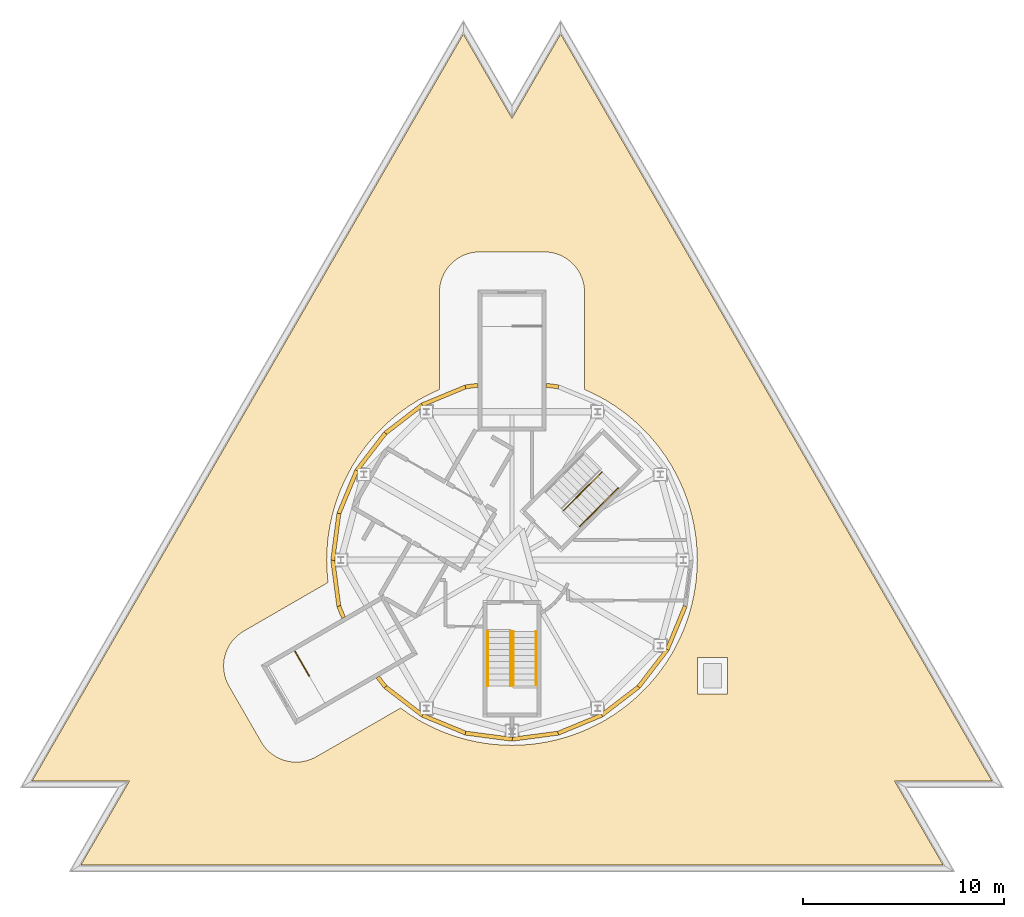
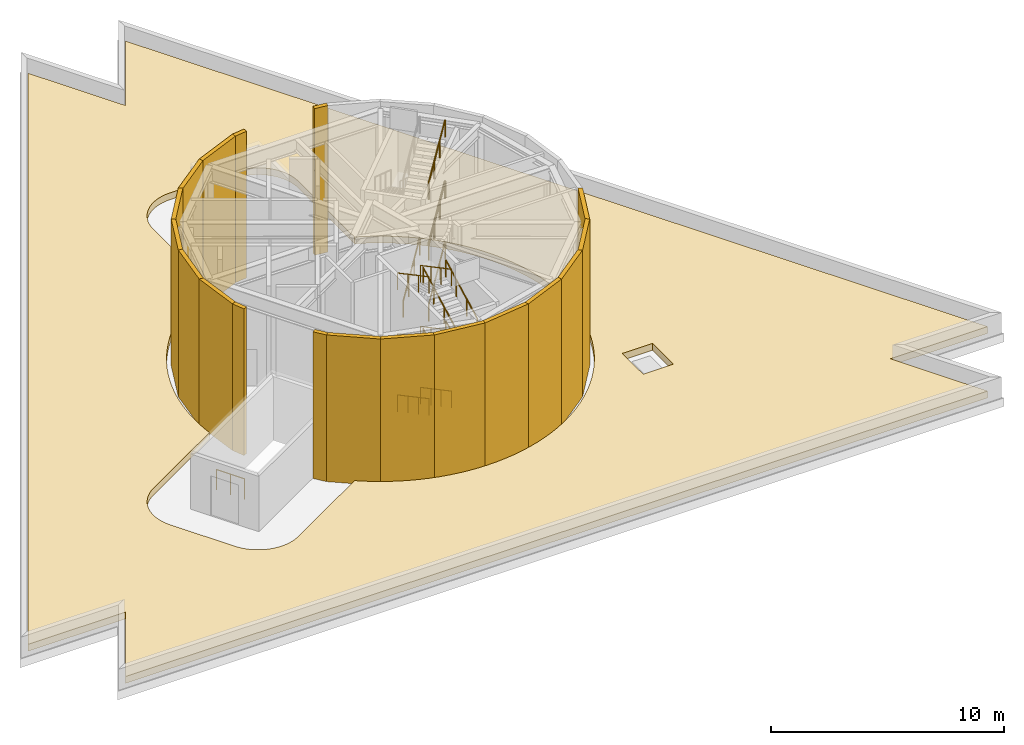
# One storey, part 6 of 7: 18 shading devices, 15 railings, 1 covering, 2 elements without a shape of their own.
"""IFC4 building model written with IfcOpenShell, lengths in metres."""

from ifc_helpers import new_model, si_unit, direction, frame, frame_2d, origin, origin_2d, place, context, subcontext, project, spatial, polyline, rectangle, circle, outline, extrude, material, layer, layer_set, layer_usage, type_object, element, aggregate, save


model = new_model("IFC4")

# Units and contexts
model_context = context("Model", 3, precision=1e-05, world=origin(), true_north=direction((0.0, 1.0)))
body_context = subcontext(model_context, "Body", "Model", "MODEL_VIEW")
ifc_project = project(units=[si_unit("LENGTHUNIT", "METRE"), si_unit("AREAUNIT", "SQUARE_METRE"), si_unit("VOLUMEUNIT", "CUBIC_METRE"), si_unit("PLANEANGLEUNIT", "RADIAN"), si_unit("MASSUNIT", "GRAM", prefix="KILO")], contexts=[model_context])

# Site, building, storey
site_placement = place(None, origin())
site = spatial("IfcSite", under=ifc_project, at=site_placement, CompositionType="ELEMENT")
building_placement = place(site_placement, origin())
building = spatial("IfcBuilding", under=site, at=building_placement, Name="Triada Interchange Tower", CompositionType="ELEMENT")
storey_placement = place(building_placement, frame((0.0, 0.0, 327.800048828125)))
storey = spatial("IfcBuildingStorey", under=building, at=storey_placement, Name="Roof", CompositionType="ELEMENT", Elevation=327.800048828125)

# Shading devices
ifc_material_1 = material(Name="Aluminium louvre cladding", Category="aluminium")
ifc_layer_1 = layer(ifc_material_1, 0.199951171875, Name="Louvre blades and frame")
ifc_layer_set_1 = layer_set([ifc_layer_1], Name="Plant drum louvre")
shading_device_type = type_object("IfcShadingDeviceType", Name="Plant drum louvre", PredefinedType="JALOUSIE", material=ifc_layer_set_1)
for number, where, z_axis, x_axis, name in (
    (1, (2.31689453125, 8.594970703125, 0.0), (0.0, 0.0, 1.0), (-0.991479650289, 0.130261671506, 0.0), "Plant drum louvre wall 06"),
    (2, (-1.699951171875, 8.676025390625, 0.0), (0.0, 0.0, 1.0), (-0.991479650289, -0.130261671506, 0.0), "Plant drum louvre wall 07"),
):
    element("IfcShadingDevice", number, at=place(storey_placement, frame(where, z_axis=z_axis, x_axis=x_axis)), inside=storey, type_object=shading_device_type, Name=name, PredefinedType="JALOUSIE", context=body_context, shape_type="SweptSolid", body=[
        extrude(rectangle(XDim=0.622314453125, YDim=0.199951171875, at=frame_2d((0.31103515625, 0.0))), origin(), (0.0, 0.0, 1.0), 7.699951171875),
    ])
shading_device_1_placement = place(storey_placement, frame((-2.291015625, 8.60205078125, 0.0), z_axis=(0.0, 0.0, 1.0), x_axis=(-0.92388640159, -0.382666848522, 0.0)))
element("IfcShadingDevice", 3, at=shading_device_1_placement, inside=storey, type_object=shading_device_type, Name="Plant drum louvre wall 08", PredefinedType="JALOUSIE", context=body_context, shape_type="SweptSolid", body=[
    extrude(rectangle(XDim=2.349853515625, YDim=0.199951171875, at=frame_2d((1.1748046875, 0.0))), origin(), (0.0, 0.0, 1.0), 7.699951171875),
])
for number, where, z_axis, x_axis, name in (
    (4, (-4.43994140625, 7.716064453125, 0.0), (0.0, 0.0, 1.0), (-0.793179784891, -0.608987544077, 0.0), "Plant drum louvre wall 09"),
    (5, (-6.284912109375, 6.303955078125, 0.0), (0.0, 0.0, 1.0), (-0.608987544077, -0.793179784891, 0.0), "Plant drum louvre wall 10"),
):
    element("IfcShadingDevice", number, at=place(storey_placement, frame(where, z_axis=z_axis, x_axis=x_axis)), inside=storey, type_object=shading_device_type, Name=name, PredefinedType="JALOUSIE", context=body_context, shape_type="SweptSolid", body=[
        extrude(rectangle(XDim=2.35009765625, YDim=0.199951171875, at=frame_2d((1.175048828125, 0.0))), origin(), (0.0, 0.0, 1.0), 7.699951171875),
    ])
shading_device_2_placement = place(storey_placement, frame((-7.702880859375, 4.4619140625, 0.0), z_axis=(0.0, 0.0, 1.0), x_axis=(-0.382666848522, -0.92388640159, 0.0)))
element("IfcShadingDevice", 6, at=shading_device_2_placement, inside=storey, type_object=shading_device_type, Name="Plant drum louvre wall 11", PredefinedType="JALOUSIE", context=body_context, shape_type="SweptSolid", body=[
    extrude(rectangle(XDim=2.349853515625, YDim=0.199951171875, at=frame_2d((1.1748046875, 0.0))), origin(), (0.0, 0.0, 1.0), 7.699951171875),
])
for number, where, z_axis, x_axis, name in (
    (7, (-8.594970703125, 2.31689453125, 0.0), (0.0, 0.0, 1.0), (-0.130693689283, -0.991422795573, 0.0), "Plant drum louvre wall 12"),
    (8, (-8.902099609375, 0.012939453125, 0.0), (0.0, 0.0, 1.0), (0.130693689283, -0.991422795573, 0.0), "Plant drum louvre wall 13"),
):
    element("IfcShadingDevice", number, at=place(storey_placement, frame(where, z_axis=z_axis, x_axis=x_axis)), inside=storey, type_object=shading_device_type, Name=name, PredefinedType="JALOUSIE", context=body_context, shape_type="SweptSolid", body=[
        extrude(rectangle(XDim=2.35009765625, YDim=0.199951171875, at=frame_2d((1.175048828125, 0.0))), origin(), (0.0, 0.0, 1.0), 7.699951171875),
    ])
shading_device_3_placement = place(storey_placement, frame((-8.60205078125, -2.291015625, 0.0), z_axis=(0.0, 0.0, 1.0), x_axis=(0.382525049986, -0.923945120737, 0.0)))
element("IfcShadingDevice", 9, at=shading_device_3_placement, inside=storey, type_object=shading_device_type, Name="Plant drum louvre wall 14", PredefinedType="JALOUSIE", context=body_context, shape_type="SweptSolid", body=[
    extrude(rectangle(XDim=0.622314453125, YDim=0.199951171875, at=frame_2d((0.31103515625, 0.0))), origin(), (0.0, 0.0, 1.0), 7.699951171875),
])
shading_device_4_placement = place(storey_placement, frame((-6.6640625, -5.81005859375, 0.0), z_axis=(0.0, 0.0, 1.0), x_axis=(0.608933553188, -0.793221235093, 0.0)))
element("IfcShadingDevice", 10, at=shading_device_4_placement, inside=storey, type_object=shading_device_type, Name="Plant drum louvre wall 15", PredefinedType="JALOUSIE", context=body_context, shape_type="SweptSolid", body=[
    extrude(rectangle(XDim=0.62255859375, YDim=0.199951171875, at=frame_2d((0.311279296875, 0.0))), origin(), (0.0, 0.0, 1.0), 7.699951171875),
])
shading_device_5_placement = place(storey_placement, frame((-6.303955078125, -6.284912109375, 0.0), z_axis=(0.0, 0.0, 1.0), x_axis=(0.793179784891, -0.608987544077, 0.0)))
element("IfcShadingDevice", 11, at=shading_device_5_placement, inside=storey, type_object=shading_device_type, Name="Plant drum louvre wall 16", PredefinedType="JALOUSIE", context=body_context, shape_type="SweptSolid", body=[
    extrude(rectangle(XDim=2.35009765625, YDim=0.199951171875, at=frame_2d((1.175048828125, 0.0))), origin(), (0.0, 0.0, 1.0), 7.699951171875),
])
shading_device_6_placement = place(storey_placement, frame((-4.4619140625, -7.702880859375, 0.0), z_axis=(0.0, 0.0, 1.0), x_axis=(0.92388640159, -0.382666848522, 0.0)))
element("IfcShadingDevice", 12, at=shading_device_6_placement, inside=storey, type_object=shading_device_type, Name="Plant drum louvre wall 17", PredefinedType="JALOUSIE", context=body_context, shape_type="SweptSolid", body=[
    extrude(rectangle(XDim=2.349853515625, YDim=0.199951171875, at=frame_2d((1.1748046875, 0.0))), origin(), (0.0, 0.0, 1.0), 7.699951171875),
])
for number, where, z_axis, x_axis, name in (
    (13, (-2.31689453125, -8.594970703125, 0.0), (0.0, 0.0, 1.0), (0.991422795573, -0.130693689283, 0.0), "Plant drum louvre wall 18"),
    (14, (-0.012939453125, -8.902099609375, 0.0), (0.0, 0.0, 1.0), (0.991422795573, 0.130693689283, 0.0), "Plant drum louvre wall 19"),
):
    element("IfcShadingDevice", number, at=place(storey_placement, frame(where, z_axis=z_axis, x_axis=x_axis)), inside=storey, type_object=shading_device_type, Name=name, PredefinedType="JALOUSIE", context=body_context, shape_type="SweptSolid", body=[
        extrude(rectangle(XDim=2.35009765625, YDim=0.199951171875, at=frame_2d((1.175048828125, 0.0))), origin(), (0.0, 0.0, 1.0), 7.699951171875),
    ])
shading_device_7_placement = place(storey_placement, frame((2.291015625, -8.60205078125, 0.0), z_axis=(0.0, 0.0, 1.0), x_axis=(0.92388640159, 0.382666848522, 0.0)))
element("IfcShadingDevice", 15, at=shading_device_7_placement, inside=storey, type_object=shading_device_type, Name="Plant drum louvre wall 20", PredefinedType="JALOUSIE", context=body_context, shape_type="SweptSolid", body=[
    extrude(rectangle(XDim=2.349853515625, YDim=0.199951171875, at=frame_2d((1.1748046875, 0.0))), origin(), (0.0, 0.0, 1.0), 7.699951171875),
])
for number, where, z_axis, x_axis, name in (
    (16, (4.43994140625, -7.716064453125, 0.0), (0.0, 0.0, 1.0), (0.793179784891, 0.608987544077, 0.0), "Plant drum louvre wall 21"),
    (17, (6.284912109375, -6.303955078125, 0.0), (0.0, 0.0, 1.0), (0.608987544077, 0.793179784891, 0.0), "Plant drum louvre wall 22"),
):
    element("IfcShadingDevice", number, at=place(storey_placement, frame(where, z_axis=z_axis, x_axis=x_axis)), inside=storey, type_object=shading_device_type, Name=name, PredefinedType="JALOUSIE", context=body_context, shape_type="SweptSolid", body=[
        extrude(rectangle(XDim=2.35009765625, YDim=0.199951171875, at=frame_2d((1.175048828125, 0.0))), origin(), (0.0, 0.0, 1.0), 7.699951171875),
    ])
shading_device_8_placement = place(storey_placement, frame((7.702880859375, -4.4619140625, 0.0), z_axis=(0.0, 0.0, 1.0), x_axis=(0.382666848522, 0.92388640159, 0.0)))
element("IfcShadingDevice", 18, at=shading_device_8_placement, inside=storey, type_object=shading_device_type, Name="Plant drum louvre wall 23", PredefinedType="JALOUSIE", context=body_context, shape_type="SweptSolid", body=[
    extrude(rectangle(XDim=2.349853515625, YDim=0.199951171875, at=frame_2d((1.1748046875, 0.0))), origin(), (0.0, 0.0, 1.0), 7.699951171875),
])

# Covering
ifc_material_2 = material(Name="Screed CT-C25-F4")
ifc_layer_2 = layer(ifc_material_2, 0.06005859375, Name="Screed to falls")
ifc_material_3 = material(Name="Polyethylene membrane")
ifc_layer_3 = layer(ifc_material_3, 0.0029296875, Name="Vapour control layer")
ifc_material_4 = material(Name="Mineral wool")
ifc_layer_4 = layer(ifc_material_4, 0.239990234375, Name="Thermal insulation")
ifc_material_5 = material(Name="Bituminous membrane")
ifc_layer_5 = layer(ifc_material_5, 0.0048828125, Name="Waterproof membrane")
ifc_material_6 = material(Name="Geotextile")
ifc_layer_6 = layer(ifc_material_6, 0.001953125, Name="Filter membrane")
ifc_material_7 = material(Name="Gravel ballast")
ifc_layer_7 = layer(ifc_material_7, 0.050048828125, Name="Ballast")
ifc_layer_set_2 = layer_set([ifc_layer_2, ifc_layer_3, ifc_layer_4, ifc_layer_5, ifc_layer_6, ifc_layer_7], Name="Roof covering 360")
ifc_layer_usage = layer_usage(ifc_layer_set_2, "AXIS3", "POSITIVE", 0.0)
covering_type = type_object("IfcCoveringType", Name="Roof covering 360", PredefinedType="ROOFING", material=ifc_layer_set_2)
covering_placement = place(storey_placement, origin())
element("IfcCovering", 19, at=covering_placement, inside=storey, type_object=covering_type, material=ifc_layer_usage, Name="Roof covering", PredefinedType="ROOFING", context=body_context, shape_type="SweptSolid", body=[
    extrude(outline(polyline([(2.416015625, 26.114990234375), (0.0, 21.929931640625), (-2.416015625, 26.114990234375), (-23.824951171875, -10.965087890625), (-18.991943359375, -10.965087890625), (-21.407958984375, -15.14990234375), (21.407958984375, -15.14990234375), (18.991943359375, -10.965087890625), (23.824951171875, -10.965087890625), (2.416015625, 26.114990234375)]), holes=[polyline([(9.156005859375, 0.902099609375), (9.18896484375, 0.450927734375), (9.199951171875, 0.0), (9.18896484375, -0.450927734375), (9.156005859375, -0.902099609375), (9.10009765625, -1.35009765625), (9.02294921875, -1.794921875), (8.924072265625, -2.235107421875), (8.803955078125, -2.6708984375), (8.662109375, -3.09912109375), (8.5, -3.52099609375), (8.31689453125, -3.93408203125), (8.114013671875, -4.3369140625), (7.89111328125, -4.72998046875), (7.64990234375, -5.111083984375), (7.389892578125, -5.47998046875), (7.112060546875, -5.8359375), (6.81689453125, -6.177978515625), (6.5048828125, -6.5048828125), (6.177978515625, -6.81689453125), (5.8359375, -7.112060546875), (5.47998046875, -7.389892578125), (5.111083984375, -7.64990234375), (4.72998046875, -7.89111328125), (4.3369140625, -8.114013671875), (3.93408203125, -8.31689453125), (3.52099609375, -8.5), (3.09912109375, -8.662109375), (2.6708984375, -8.803955078125), (2.235107421875, -8.924072265625), (1.794921875, -9.02294921875), (1.35009765625, -9.10009765625), (0.902099609375, -9.156005859375), (0.450927734375, -9.18896484375), (0.0, -9.199951171875), (-0.450927734375, -9.18896484375), (-0.902099609375, -9.156005859375), (-1.35009765625, -9.10009765625), (-1.794921875, -9.02294921875), (-2.235107421875, -8.924072265625), (-2.6708984375, -8.803955078125), (-3.09912109375, -8.662109375), (-3.52099609375, -8.5), (-3.93408203125, -8.31689453125), (-4.3369140625, -8.114013671875), (-4.72998046875, -7.89111328125), (-5.111083984375, -7.64990234375), (-5.47998046875, -7.389892578125), (-5.531005859375, -7.35009765625), (-9.718017578125, -9.76806640625), (-9.89306640625, -9.85693359375), (-10.074951171875, -9.929931640625), (-10.263916015625, -9.98291015625), (-10.45703125, -10.01904296875), (-10.653076171875, -10.034912109375), (-10.84912109375, -10.031005859375), (-11.0439453125, -10.009033203125), (-11.236083984375, -9.967041015625), (-11.423095703125, -9.906982421875), (-11.60302734375, -9.8291015625), (-11.77392578125, -9.73388671875), (-11.93603515625, -9.6220703125), (-12.0849609375, -9.4951171875), (-12.221923828125, -9.35400390625), (-12.343994140625, -9.200927734375), (-12.449951171875, -9.035888671875), (-14.050048828125, -6.263916015625), (-14.139892578125, -6.090087890625), (-14.2119140625, -5.906982421875), (-14.26611328125, -5.718994140625), (-14.301025390625, -5.52490234375), (-14.31689453125, -5.330078125), (-14.31396484375, -5.134033203125), (-14.291015625, -4.93896484375), (-14.25, -4.7470703125), (-14.18994140625, -4.56005859375), (-14.112060546875, -4.3798828125), (-14.01708984375, -4.2080078125), (-13.905029296875, -4.047119140625), (-13.778076171875, -3.89697265625), (-13.636962890625, -3.760986328125), (-13.48291015625, -3.638916015625), (-13.318115234375, -3.531982421875), (-9.1298828125, -1.114013671875), (-9.156005859375, -0.902099609375), (-9.18896484375, -0.450927734375), (-9.199951171875, 0.0), (-9.18896484375, 0.450927734375), (-9.156005859375, 0.902099609375), (-9.10009765625, 1.35009765625), (-9.02294921875, 1.794921875), (-8.924072265625, 2.235107421875), (-8.803955078125, 2.6708984375), (-8.662109375, 3.09912109375), (-8.5, 3.52099609375), (-8.31689453125, 3.93408203125), (-8.114013671875, 4.3369140625), (-7.89111328125, 4.72998046875), (-7.64990234375, 5.111083984375), (-7.389892578125, 5.47998046875), (-7.112060546875, 5.8359375), (-6.81689453125, 6.177978515625), (-6.5048828125, 6.5048828125), (-6.177978515625, 6.81689453125), (-5.8359375, 7.112060546875), (-5.47998046875, 7.389892578125), (-5.111083984375, 7.64990234375), (-4.72998046875, 7.89111328125), (-4.3369140625, 8.114013671875), (-3.93408203125, 8.31689453125), (-3.60009765625, 8.465087890625), (-3.60009765625, 13.300048828125), (-3.590087890625, 13.49609375), (-3.56201171875, 13.68994140625), (-3.513916015625, 13.881103515625), (-3.447998046875, 14.06494140625), (-3.364013671875, 14.242919921875), (-3.262939453125, 14.410888671875), (-3.14599609375, 14.569091796875), (-3.013916015625, 14.714111328125), (-2.868896484375, 14.845947265625), (-2.7109375, 14.962890625), (-2.54296875, 15.06396484375), (-2.364990234375, 15.14794921875), (-2.180908203125, 15.214111328125), (-1.989990234375, 15.261962890625), (-1.7958984375, 15.2900390625), (-1.60009765625, 15.300048828125), (1.60009765625, 15.300048828125), (1.7958984375, 15.2900390625), (1.989990234375, 15.261962890625), (2.180908203125, 15.214111328125), (2.364990234375, 15.14794921875), (2.54296875, 15.06396484375), (2.7109375, 14.962890625), (2.868896484375, 14.845947265625), (3.013916015625, 14.714111328125), (3.14599609375, 14.569091796875), (3.262939453125, 14.410888671875), (3.364013671875, 14.242919921875), (3.447998046875, 14.06494140625), (3.513916015625, 13.881103515625), (3.56201171875, 13.68994140625), (3.590087890625, 13.49609375), (3.60009765625, 13.300048828125), (3.60009765625, 8.465087890625), (3.93408203125, 8.31689453125), (4.3369140625, 8.114013671875), (4.72998046875, 7.89111328125), (5.111083984375, 7.64990234375), (5.47998046875, 7.389892578125), (5.8359375, 7.112060546875), (6.177978515625, 6.81689453125), (6.5048828125, 6.5048828125), (6.81689453125, 6.177978515625), (7.112060546875, 5.8359375), (7.389892578125, 5.47998046875), (7.64990234375, 5.111083984375), (7.89111328125, 4.72998046875), (8.114013671875, 4.3369140625), (8.31689453125, 3.93408203125), (8.5, 3.52099609375), (8.662109375, 3.09912109375), (8.803955078125, 2.6708984375), (8.924072265625, 2.235107421875), (9.02294921875, 1.794921875), (9.10009765625, 1.35009765625), (9.156005859375, 0.902099609375)]), polyline([(10.708984375, -6.64990234375), (9.208984375, -6.64990234375), (9.208984375, -4.85009765625), (10.708984375, -4.85009765625), (10.708984375, -6.64990234375)])]), origin(), (0.0, 0.0, 1.0), 0.35986328125),
])

# Railing
ifc_material_8 = material(Name="Stainless steel 1.4301", Category="steel")
railing_type_1 = type_object("IfcRailingType", Name="STAIR GUARD 1100", PredefinedType="GUARDRAIL", material=ifc_material_8)
railing_1_placement = place(storey_placement, frame((-10.77099609375, -4.5439453125, 0.0)))
element("IfcRailing", 20, at=railing_1_placement, inside=storey, type_object=railing_type_1, Name="Guard head-house 2", PredefinedType="GUARDRAIL", context=body_context, shape_type="SweptSolid", body=[
    extrude(circle(Radius=0.02392578125, at=origin_2d()), frame((0.0, 0.0, 1.076171875), z_axis=(0.499757664077, -0.866165271294, 0.0), x_axis=(0.866165271294, 0.499757664077, 0.0)), (0.0, 0.0, 1.0), 1.400634765625),
    extrude(circle(Radius=0.02099609375, at=origin_2d()), origin(), (0.0, 0.0, 1.0), 1.052001953125),
    extrude(circle(Radius=0.02099609375, at=origin_2d()), frame((0.35009765625, -0.6064453125, 0.0)), (0.0, 0.0, 1.0), 1.052001953125),
    extrude(circle(Radius=0.02099609375, at=origin_2d()), frame((0.699951171875, -1.213134765625, 0.0)), (0.0, 0.0, 1.0), 1.052001953125),
])

# Stair, railings
ifc_material_9 = material(Name="Concrete C35/45", Category="concrete")
stair_type = type_object("IfcStairType", Name="HALF TURN STAIR 1200", PredefinedType="HALF_TURN_STAIR", material=ifc_material_9)
stair_1_placement = place(storey_placement, origin())
stair_1 = element("IfcStair", 21, at=stair_1_placement, inside=storey, type_object=stair_type, Name="Roof access stair RS1", PredefinedType="HALF_TURN_STAIR")
railing_type_2 = type_object("IfcRailingType", Name="STAIR HANDRAIL 900", PredefinedType="HANDRAIL", material=ifc_material_8)
railing_2_placement = place(storey_placement, frame((3.35888671875, 1.662109375, 0.159912109375)))
railing_2 = element("IfcRailing", 22, at=railing_2_placement, type_object=railing_type_2, Name="Handrail RS1 1W", PredefinedType="HANDRAIL", context=body_context, shape_type="SweptSolid", body=[
    extrude(circle(Radius=0.02392578125, at=origin_2d()), frame((0.0, 0.0, 0.8759765625), z_axis=(0.623953805445, 0.623874015956, 0.470598407227), x_axis=(-0.707061565419, 0.707151994063, 0.0)), (0.0, 0.0, 1.0), 3.059814453125),
    extrude(circle(Radius=0.02099609375, at=origin_2d()), origin(), (0.0, 0.0, 1.0), 0.851806640625),
    extrude(circle(Radius=0.02099609375, at=origin_2d()), frame((0.636474609375, 0.63623046875, 0.47998046875)), (0.0, 0.0, 1.0), 0.851806640625),
    extrude(circle(Radius=0.02099609375, at=origin_2d()), frame((1.272705078125, 1.272705078125, 0.9599609375)), (0.0, 0.0, 1.0), 0.851806640625),
    extrude(circle(Radius=0.02099609375, at=origin_2d()), frame((1.9091796875, 1.908935546875, 1.43994140625)), (0.0, 0.0, 1.0), 0.851806640625),
])
railing_3_placement = place(storey_placement, frame((2.56005859375, 2.4609375, 0.159912109375)))
railing_3 = element("IfcRailing", 23, at=railing_3_placement, type_object=railing_type_2, Name="Handrail RS1 1C", PredefinedType="HANDRAIL", context=body_context, shape_type="SweptSolid", body=[
    extrude(circle(Radius=0.02392578125, at=origin_2d()), frame((0.0, 0.0, 0.8759765625), z_axis=(0.623874015956, 0.623953805445, 0.470598407227), x_axis=(-0.707151994063, 0.707061565419, 0.0)), (0.0, 0.0, 1.0), 3.059814453125),
    extrude(circle(Radius=0.02099609375, at=origin_2d()), origin(), (0.0, 0.0, 1.0), 0.851806640625),
    extrude(circle(Radius=0.02099609375, at=origin_2d()), frame((0.63623046875, 0.636474609375, 0.47998046875)), (0.0, 0.0, 1.0), 0.851806640625),
    extrude(circle(Radius=0.02099609375, at=origin_2d()), frame((1.272705078125, 1.272705078125, 0.9599609375)), (0.0, 0.0, 1.0), 0.851806640625),
    extrude(circle(Radius=0.02099609375, at=origin_2d()), frame((1.908935546875, 1.9091796875, 1.43994140625)), (0.0, 0.0, 1.0), 0.851806640625),
])
railing_4_placement = place(storey_placement, frame((3.35888671875, 1.662109375, 3.35986328125)))
railing_4 = element("IfcRailing", 24, at=railing_4_placement, type_object=railing_type_2, Name="Handrail RS1 3W", PredefinedType="HANDRAIL", context=body_context, shape_type="SweptSolid", body=[
    extrude(circle(Radius=0.02392578125, at=origin_2d()), frame((0.0, 0.0, 0.8759765625), z_axis=(0.623930376058, 0.623850589565, 0.470660522809), x_axis=(-0.707061565419, 0.707151994063, 0.0)), (0.0, 0.0, 1.0), 3.059814453125),
    extrude(circle(Radius=0.02099609375, at=origin_2d()), origin(), (0.0, 0.0, 1.0), 0.851806640625),
    extrude(circle(Radius=0.02099609375, at=origin_2d()), frame((0.636474609375, 0.63623046875, 0.47998046875)), (0.0, 0.0, 1.0), 0.851806640625),
    extrude(circle(Radius=0.02099609375, at=origin_2d()), frame((1.272705078125, 1.272705078125, 0.960205078125)), (0.0, 0.0, 1.0), 0.851806640625),
    extrude(circle(Radius=0.02099609375, at=origin_2d()), frame((1.9091796875, 1.908935546875, 1.440185546875)), (0.0, 0.0, 1.0), 0.851806640625),
])
railing_5_placement = place(storey_placement, frame((3.35888671875, 1.662109375, 6.56005859375)))
railing_5 = element("IfcRailing", 25, at=railing_5_placement, type_object=railing_type_2, Name="Handrail RS1 5W", PredefinedType="HANDRAIL", context=body_context, shape_type="SweptSolid", body=[
    extrude(circle(Radius=0.02392578125, at=origin_2d()), frame((0.0, 0.0, 0.8759765625), z_axis=(0.623953805445, 0.623874015956, 0.470598407227), x_axis=(-0.707061565419, 0.707151994063, 0.0)), (0.0, 0.0, 1.0), 3.059814453125),
    extrude(circle(Radius=0.02099609375, at=origin_2d()), origin(), (0.0, 0.0, 1.0), 0.851806640625),
    extrude(circle(Radius=0.02099609375, at=origin_2d()), frame((0.636474609375, 0.63623046875, 0.47998046875)), (0.0, 0.0, 1.0), 0.851806640625),
    extrude(circle(Radius=0.02099609375, at=origin_2d()), frame((1.272705078125, 1.272705078125, 0.9599609375)), (0.0, 0.0, 1.0), 0.851806640625),
    extrude(circle(Radius=0.02099609375, at=origin_2d()), frame((1.9091796875, 1.908935546875, 1.43994140625)), (0.0, 0.0, 1.0), 0.851806640625),
])
aggregate(stair_1, [railing_2, railing_3, railing_4, railing_5])

stair_2_placement = place(storey_placement, origin())
stair_2 = element("IfcStair", 26, at=stair_2_placement, inside=storey, type_object=stair_type, Name="Roof access stair RS2", PredefinedType="HALF_TURN_STAIR")
railing_6_placement = place(storey_placement, frame((-1.199951171875, -3.550048828125, 0.159912109375)))
railing_6 = element("IfcRailing", 27, at=railing_6_placement, type_object=railing_type_2, Name="Handrail RS2 1W", PredefinedType="HANDRAIL", context=body_context, shape_type="SweptSolid", body=[
    extrude(circle(Radius=0.02392578125, at=origin_2d()), frame((0.0, 0.0, 0.8759765625), z_axis=(0.0, -0.882357358376, 0.470579952952), x_axis=(1.0, 0.0, 0.0)), (0.0, 0.0, 1.0), 3.059814453125),
    extrude(circle(Radius=0.02099609375, at=origin_2d()), origin(), (0.0, 0.0, 1.0), 0.851806640625),
    extrude(circle(Radius=0.02099609375, at=origin_2d()), frame((0.0, -0.89990234375, 0.47998046875)), (0.0, 0.0, 1.0), 0.851806640625),
    extrude(circle(Radius=0.02099609375, at=origin_2d()), frame((0.0, -1.800048828125, 0.9599609375)), (0.0, 0.0, 1.0), 0.851806640625),
    extrude(circle(Radius=0.02099609375, at=origin_2d()), frame((0.0, -2.699951171875, 1.43994140625)), (0.0, 0.0, 1.0), 0.851806640625),
])
railing_7_placement = place(storey_placement, frame((-0.070068359375, -3.550048828125, 0.159912109375)))
railing_7 = element("IfcRailing", 28, at=railing_7_placement, type_object=railing_type_2, Name="Handrail RS2 1C", PredefinedType="HANDRAIL", context=body_context, shape_type="SweptSolid", body=[
    extrude(circle(Radius=0.02392578125, at=origin_2d()), frame((0.0, 0.0, 0.8759765625), z_axis=(0.0, -0.882357358376, 0.470579952952), x_axis=(1.0, 0.0, 0.0)), (0.0, 0.0, 1.0), 3.059814453125),
    extrude(circle(Radius=0.02099609375, at=origin_2d()), origin(), (0.0, 0.0, 1.0), 0.851806640625),
    extrude(circle(Radius=0.02099609375, at=origin_2d()), frame((0.0, -0.89990234375, 0.47998046875)), (0.0, 0.0, 1.0), 0.851806640625),
    extrude(circle(Radius=0.02099609375, at=origin_2d()), frame((0.0, -1.800048828125, 0.9599609375)), (0.0, 0.0, 1.0), 0.851806640625),
    extrude(circle(Radius=0.02099609375, at=origin_2d()), frame((0.0, -2.699951171875, 1.43994140625)), (0.0, 0.0, 1.0), 0.851806640625),
])
railing_8_placement = place(storey_placement, frame((1.199951171875, -6.25, 1.760009765625)))
railing_8 = element("IfcRailing", 29, at=railing_8_placement, type_object=railing_type_2, Name="Handrail RS2 2W", PredefinedType="HANDRAIL", context=body_context, shape_type="SweptSolid", body=[
    extrude(circle(Radius=0.02392578125, at=origin_2d()), frame((0.0, 0.0, 0.8759765625), z_axis=(0.0, 0.882357358376, 0.470579952952), x_axis=(-1.0, 0.0, 0.0)), (0.0, 0.0, 1.0), 3.059814453125),
    extrude(circle(Radius=0.02099609375, at=origin_2d()), origin(), (0.0, 0.0, 1.0), 0.851806640625),
    extrude(circle(Radius=0.02099609375, at=origin_2d()), frame((0.0, 0.89990234375, 0.47998046875)), (0.0, 0.0, 1.0), 0.851806640625),
    extrude(circle(Radius=0.02099609375, at=origin_2d()), frame((0.0, 1.800048828125, 0.9599609375)), (0.0, 0.0, 1.0), 0.851806640625),
    extrude(circle(Radius=0.02099609375, at=origin_2d()), frame((0.0, 2.699951171875, 1.43994140625)), (0.0, 0.0, 1.0), 0.851806640625),
])
railing_9_placement = place(storey_placement, frame((0.070068359375, -6.25, 1.760009765625)))
railing_9 = element("IfcRailing", 30, at=railing_9_placement, type_object=railing_type_2, Name="Handrail RS2 2C", PredefinedType="HANDRAIL", context=body_context, shape_type="SweptSolid", body=[
    extrude(circle(Radius=0.02392578125, at=origin_2d()), frame((0.0, 0.0, 0.8759765625), z_axis=(0.0, 0.882357358376, 0.470579952952), x_axis=(-1.0, 0.0, 0.0)), (0.0, 0.0, 1.0), 3.059814453125),
    extrude(circle(Radius=0.02099609375, at=origin_2d()), origin(), (0.0, 0.0, 1.0), 0.851806640625),
    extrude(circle(Radius=0.02099609375, at=origin_2d()), frame((0.0, 0.89990234375, 0.47998046875)), (0.0, 0.0, 1.0), 0.851806640625),
    extrude(circle(Radius=0.02099609375, at=origin_2d()), frame((0.0, 1.800048828125, 0.9599609375)), (0.0, 0.0, 1.0), 0.851806640625),
    extrude(circle(Radius=0.02099609375, at=origin_2d()), frame((0.0, 2.699951171875, 1.43994140625)), (0.0, 0.0, 1.0), 0.851806640625),
])
railing_10_placement = place(storey_placement, frame((-1.199951171875, -3.550048828125, 3.35986328125)))
railing_10 = element("IfcRailing", 31, at=railing_10_placement, type_object=railing_type_2, Name="Handrail RS2 3W", PredefinedType="HANDRAIL", context=body_context, shape_type="SweptSolid", body=[
    extrude(circle(Radius=0.02392578125, at=origin_2d()), frame((0.0, 0.0, 0.8759765625), z_axis=(0.0, -0.882324228566, 0.470642067484), x_axis=(1.0, 0.0, 0.0)), (0.0, 0.0, 1.0), 3.06005859375),
    extrude(circle(Radius=0.02099609375, at=origin_2d()), origin(), (0.0, 0.0, 1.0), 0.851806640625),
    extrude(circle(Radius=0.02099609375, at=origin_2d()), frame((0.0, -0.89990234375, 0.47998046875)), (0.0, 0.0, 1.0), 0.851806640625),
    extrude(circle(Radius=0.02099609375, at=origin_2d()), frame((0.0, -1.800048828125, 0.960205078125)), (0.0, 0.0, 1.0), 0.851806640625),
    extrude(circle(Radius=0.02099609375, at=origin_2d()), frame((0.0, -2.699951171875, 1.440185546875)), (0.0, 0.0, 1.0), 0.851806640625),
])
railing_11_placement = place(storey_placement, frame((-0.070068359375, -3.550048828125, 3.35986328125)))
railing_11 = element("IfcRailing", 32, at=railing_11_placement, type_object=railing_type_2, Name="Handrail RS2 3C", PredefinedType="HANDRAIL", context=body_context, shape_type="SweptSolid", body=[
    extrude(circle(Radius=0.02392578125, at=origin_2d()), frame((0.0, 0.0, 0.8759765625), z_axis=(0.0, -0.882324228566, 0.470642067484), x_axis=(1.0, 0.0, 0.0)), (0.0, 0.0, 1.0), 3.06005859375),
    extrude(circle(Radius=0.02099609375, at=origin_2d()), origin(), (0.0, 0.0, 1.0), 0.851806640625),
    extrude(circle(Radius=0.02099609375, at=origin_2d()), frame((0.0, -0.89990234375, 0.47998046875)), (0.0, 0.0, 1.0), 0.851806640625),
    extrude(circle(Radius=0.02099609375, at=origin_2d()), frame((0.0, -1.800048828125, 0.960205078125)), (0.0, 0.0, 1.0), 0.851806640625),
    extrude(circle(Radius=0.02099609375, at=origin_2d()), frame((0.0, -2.699951171875, 1.440185546875)), (0.0, 0.0, 1.0), 0.851806640625),
])
railing_12_placement = place(storey_placement, frame((1.199951171875, -6.25, 4.9599609375)))
railing_12 = element("IfcRailing", 33, at=railing_12_placement, type_object=railing_type_2, Name="Handrail RS2 4W", PredefinedType="HANDRAIL", context=body_context, shape_type="SweptSolid", body=[
    extrude(circle(Radius=0.02392578125, at=origin_2d()), frame((0.0, 0.0, 0.8759765625), z_axis=(0.0, 0.882357358376, 0.470579952952), x_axis=(-1.0, 0.0, 0.0)), (0.0, 0.0, 1.0), 3.059814453125),
    extrude(circle(Radius=0.02099609375, at=origin_2d()), origin(), (0.0, 0.0, 1.0), 0.851806640625),
    extrude(circle(Radius=0.02099609375, at=origin_2d()), frame((0.0, 0.89990234375, 0.47998046875)), (0.0, 0.0, 1.0), 0.851806640625),
    extrude(circle(Radius=0.02099609375, at=origin_2d()), frame((0.0, 1.800048828125, 0.9599609375)), (0.0, 0.0, 1.0), 0.851806640625),
    extrude(circle(Radius=0.02099609375, at=origin_2d()), frame((0.0, 2.699951171875, 1.43994140625)), (0.0, 0.0, 1.0), 0.851806640625),
])
railing_13_placement = place(storey_placement, frame((0.070068359375, -6.25, 4.9599609375)))
railing_13 = element("IfcRailing", 34, at=railing_13_placement, type_object=railing_type_2, Name="Handrail RS2 4C", PredefinedType="HANDRAIL", context=body_context, shape_type="SweptSolid", body=[
    extrude(circle(Radius=0.02392578125, at=origin_2d()), frame((0.0, 0.0, 0.8759765625), z_axis=(0.0, 0.882357358376, 0.470579952952), x_axis=(-1.0, 0.0, 0.0)), (0.0, 0.0, 1.0), 3.059814453125),
    extrude(circle(Radius=0.02099609375, at=origin_2d()), origin(), (0.0, 0.0, 1.0), 0.851806640625),
    extrude(circle(Radius=0.02099609375, at=origin_2d()), frame((0.0, 0.89990234375, 0.47998046875)), (0.0, 0.0, 1.0), 0.851806640625),
    extrude(circle(Radius=0.02099609375, at=origin_2d()), frame((0.0, 1.800048828125, 0.9599609375)), (0.0, 0.0, 1.0), 0.851806640625),
    extrude(circle(Radius=0.02099609375, at=origin_2d()), frame((0.0, 2.699951171875, 1.43994140625)), (0.0, 0.0, 1.0), 0.851806640625),
])
railing_14_placement = place(storey_placement, frame((-1.199951171875, -3.550048828125, 6.56005859375)))
railing_14 = element("IfcRailing", 35, at=railing_14_placement, type_object=railing_type_2, Name="Handrail RS2 5W", PredefinedType="HANDRAIL", context=body_context, shape_type="SweptSolid", body=[
    extrude(circle(Radius=0.02392578125, at=origin_2d()), frame((0.0, 0.0, 0.8759765625), z_axis=(0.0, -0.882357358376, 0.470579952952), x_axis=(1.0, 0.0, 0.0)), (0.0, 0.0, 1.0), 3.059814453125),
    extrude(circle(Radius=0.02099609375, at=origin_2d()), origin(), (0.0, 0.0, 1.0), 0.851806640625),
    extrude(circle(Radius=0.02099609375, at=origin_2d()), frame((0.0, -0.89990234375, 0.47998046875)), (0.0, 0.0, 1.0), 0.851806640625),
    extrude(circle(Radius=0.02099609375, at=origin_2d()), frame((0.0, -1.800048828125, 0.9599609375)), (0.0, 0.0, 1.0), 0.851806640625),
    extrude(circle(Radius=0.02099609375, at=origin_2d()), frame((0.0, -2.699951171875, 1.43994140625)), (0.0, 0.0, 1.0), 0.851806640625),
])
railing_15_placement = place(storey_placement, frame((-0.070068359375, -3.550048828125, 6.56005859375)))
railing_15 = element("IfcRailing", 36, at=railing_15_placement, type_object=railing_type_2, Name="Handrail RS2 5C", PredefinedType="HANDRAIL", context=body_context, shape_type="SweptSolid", body=[
    extrude(circle(Radius=0.02392578125, at=origin_2d()), frame((0.0, 0.0, 0.8759765625), z_axis=(0.0, -0.882357358376, 0.470579952952), x_axis=(1.0, 0.0, 0.0)), (0.0, 0.0, 1.0), 3.059814453125),
    extrude(circle(Radius=0.02099609375, at=origin_2d()), origin(), (0.0, 0.0, 1.0), 0.851806640625),
    extrude(circle(Radius=0.02099609375, at=origin_2d()), frame((0.0, -0.89990234375, 0.47998046875)), (0.0, 0.0, 1.0), 0.851806640625),
    extrude(circle(Radius=0.02099609375, at=origin_2d()), frame((0.0, -1.800048828125, 0.9599609375)), (0.0, 0.0, 1.0), 0.851806640625),
    extrude(circle(Radius=0.02099609375, at=origin_2d()), frame((0.0, -2.699951171875, 1.43994140625)), (0.0, 0.0, 1.0), 0.851806640625),
])
aggregate(stair_2, [railing_6, railing_7, railing_8, railing_9, railing_10, railing_11, railing_12, railing_13, railing_14, railing_15])

save(model, "model.ifc")
